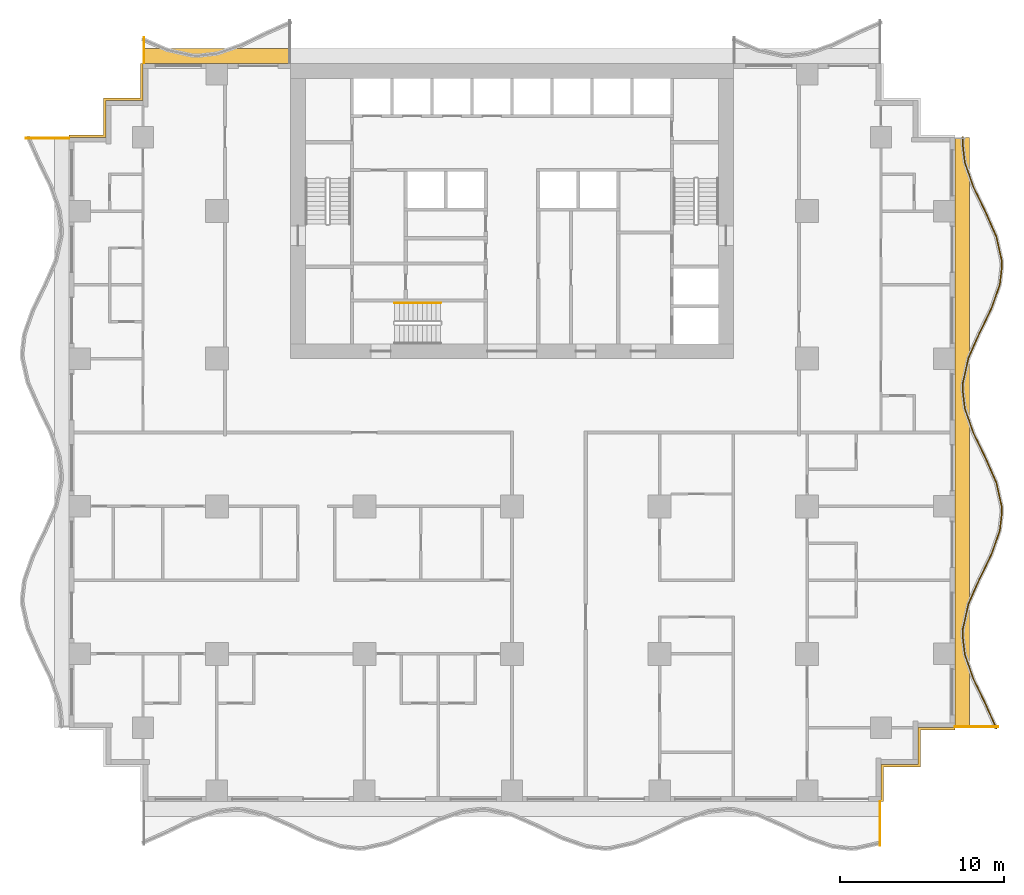
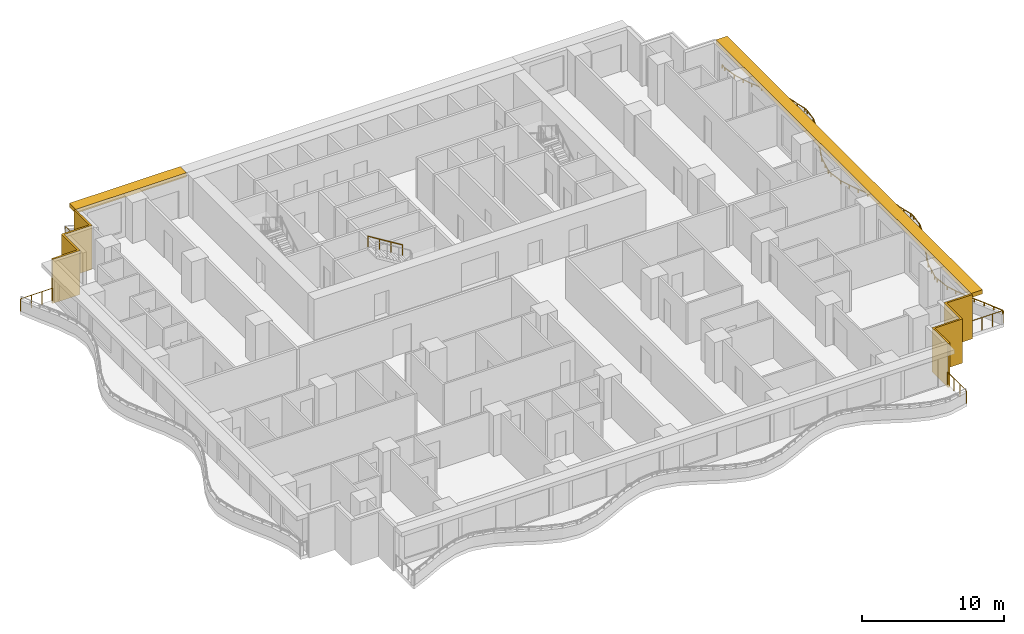
# One storey, part 11 of 14: 6 railings, 4 shading devices.
"""IFC4 building model written with IfcOpenShell, lengths in metres."""

from ifc_helpers import new_model, si_unit, direction, frame, origin, origin_2d, place, context, subcontext, project, spatial, polyline, rectangle, circle, outline, extrude, material, layer, layer_set, type_object, element, save


model = new_model("IFC4")

# Units and contexts
model_context = context("Model", 3, precision=1e-05, world=origin(), true_north=direction((0.0, 1.0)))
body_context = subcontext(model_context, "Body", "Model", "MODEL_VIEW")
ifc_project = project(units=[si_unit("LENGTHUNIT", "METRE"), si_unit("AREAUNIT", "SQUARE_METRE"), si_unit("VOLUMEUNIT", "CUBIC_METRE"), si_unit("PLANEANGLEUNIT", "RADIAN"), si_unit("MASSUNIT", "GRAM", prefix="KILO")], contexts=[model_context])

# Site, building, storey
site_placement = place(None, origin())
site = spatial("IfcSite", under=ifc_project, at=site_placement, CompositionType="ELEMENT")
building_placement = place(site_placement, origin())
building = spatial("IfcBuilding", under=site, at=building_placement, Name="Orbiselva Terraces", CompositionType="ELEMENT")
storey_placement = place(building_placement, frame((0.0, 0.0, 88.4)))
storey = spatial("IfcBuildingStorey", under=building, at=storey_placement, Name="L22", CompositionType="ELEMENT", Elevation=88.4)

# Railings
ifc_material_1 = material(Name="Stainless steel", Category="steel")
railing_type_1 = type_object("IfcRailingType", Name="CORE-HANDRAIL-900", PredefinedType="HANDRAIL", material=ifc_material_1)
railing_1_placement = place(storey_placement, frame((-4.35, 7.9, 2.072727)))
element("IfcRailing", 1, at=railing_1_placement, inside=storey, type_object=railing_type_1, Name="L22 S3 stair handrail 2", PredefinedType="HANDRAIL", context=body_context, shape_type="SweptSolid", body=[
    extrude(circle(Radius=0.024, at=origin_2d()), frame((0.0, 0.0, 0.876), z_axis=(-0.851088519012, 0.0, 0.52502222125), x_axis=(0.0, -1.0, 0.0)), (0.0, 0.0, 1.0), 3.289905),
    extrude(circle(Radius=0.021, at=origin_2d()), origin(), (0.0, 0.0, 1.0), 0.852),
    extrude(circle(Radius=0.021, at=origin_2d()), frame((-0.933333, 0.0, 0.575758)), (0.0, 0.0, 1.0), 0.852),
    extrude(circle(Radius=0.021, at=origin_2d()), frame((-1.866667, 0.0, 1.151515)), (0.0, 0.0, 1.0), 0.852),
    extrude(circle(Radius=0.021, at=origin_2d()), frame((-2.8, 0.0, 1.727273)), (0.0, 0.0, 1.0), 0.852),
])
ifc_material_2 = material(Name="Bonded two-ply safety glass balustrade, stainless steel posts", Category="steel")
railing_type_2 = type_object("IfcRailingType", Name="ENV-BALUSTRADE-1200", PredefinedType="BALUSTRADE", material=ifc_material_2)
railing_2_placement = place(storey_placement, frame((29.534136, -18.050394, 0.9)))
element("IfcRailing", 2, at=railing_2_placement, inside=storey, type_object=railing_type_2, Name="Balcony balustrade L22 E", PredefinedType="BALUSTRADE", context=body_context, shape_type="SweptSolid", body=[
    extrude(outline(polyline([(0.028868, 0.0), (0.014434, 0.025), (-0.014434, 0.025), (-0.028868, 0.0), (-0.014434, -0.025), (0.014434, -0.025), (0.028868, 0.0)])), frame((0.0, 0.0, 0.275), z_axis=(-0.403150940408, 0.915133498047, 0.0), x_axis=(-0.915133498047, -0.403150940408, 0.0)), (0.0, 0.0, 1.0), 1.636648),
    extrude(outline(polyline([(0.028868, 0.0), (0.014434, 0.025), (-0.014434, 0.025), (-0.028868, 0.0), (-0.014434, -0.025), (0.014434, -0.025), (0.028868, 0.0)])), frame((-0.659816, 1.497751, 0.275), z_axis=(-0.438812048596, 0.898578870221, 0.0), x_axis=(-0.898578870221, -0.438812048596, 0.0)), (0.0, 0.0, 1.0), 1.674225),
    extrude(outline(polyline([(0.028868, 0.0), (0.014434, 0.025), (-0.014434, 0.025), (-0.028868, 0.0), (-0.014434, -0.025), (0.014434, -0.025), (0.028868, 0.0)])), frame((-1.394486, 3.002174, 0.275), z_axis=(-0.330024597479, 0.943972332783, 0.0), x_axis=(-0.943972332783, -0.330024597479, 0.0)), (0.0, 0.0, 1.0), 1.610253),
    extrude(outline(polyline([(0.028868, 0.0), (0.014434, 0.025), (-0.014434, 0.025), (-0.028868, 0.0), (-0.014434, -0.025), (0.014434, -0.025), (0.028868, 0.0)])), frame((-1.925909, 4.522208, 0.275), z_axis=(-0.115482182324, 0.993309551734, 0.0), x_axis=(-0.993309551734, -0.115482182324, 0.0)), (0.0, 0.0, 1.0), 1.156135),
    extrude(outline(polyline([(0.028868, 0.0), (0.014434, 0.025), (-0.014434, 0.025), (-0.028868, 0.0), (-0.014434, -0.025), (0.014434, -0.025), (0.028868, 0.0)])), frame((-2.059422, 5.670608, 0.275), z_axis=(0.03936915532, 0.999224734286, 0.0), x_axis=(-0.999224734286, 0.03936915532, 0.0)), (0.0, 0.0, 1.0), 0.396376),
    extrude(outline(polyline([(0.028868, 0.0), (0.014434, 0.025), (-0.014434, 0.025), (-0.028868, 0.0), (-0.014434, -0.025), (0.014434, -0.025), (0.028868, 0.0)])), frame((-2.043817, 6.066677, 0.275), z_axis=(0.219015500924, 0.97572137947, 0.0), x_axis=(-0.97572137947, 0.219015500924, 0.0)), (0.0, 0.0, 1.0), 1.560867),
    extrude(outline(polyline([(0.028868, 0.0), (0.014434, 0.025), (-0.014434, 0.025), (-0.028868, 0.0), (-0.014434, -0.025), (0.014434, -0.025), (0.028868, 0.0)])), frame((-1.701963, 7.589648, 0.275), z_axis=(0.403150874148, 0.915133527237, 0.0), x_axis=(-0.915133527237, 0.403150874148, 0.0)), (0.0, 0.0, 1.0), 1.653736),
    extrude(outline(polyline([(0.028868, 0.0), (0.014434, 0.025), (-0.014434, 0.025), (-0.028868, 0.0), (-0.014434, -0.025), (0.014434, -0.025), (0.028868, 0.0)])), frame((-1.035258, 9.103037, 0.275), z_axis=(0.438811978768, 0.89857890432, 0.0), x_axis=(-0.89857890432, 0.438811978768, 0.0)), (0.0, 0.0, 1.0), 1.66438),
    extrude(outline(polyline([(0.028868, 0.0), (0.014434, 0.025), (-0.014434, 0.025), (-0.028868, 0.0), (-0.014434, -0.025), (0.014434, -0.025), (0.028868, 0.0)])), frame((-0.304908, 10.598614, 0.275), z_axis=(0.330024754707, 0.943972277814, 0.0), x_axis=(-0.943972277814, 0.330024754707, 0.0)), (0.0, 0.0, 1.0), 1.567807),
    extrude(outline(polyline([(0.028868, 0.0), (0.014434, 0.025), (-0.014434, 0.025), (-0.028868, 0.0), (-0.014434, -0.025), (0.014434, -0.025), (0.028868, 0.0)])), frame((0.212507, 12.07858, 0.275), z_axis=(0.115481264762, 0.993309658409, 0.0), x_axis=(-0.993309658409, 0.115481264762, 0.0)), (0.0, 0.0, 1.0), 1.10902),
    extrude(outline(polyline([(0.028868, 0.0), (0.014434, 0.025), (-0.014434, 0.025), (-0.028868, 0.0), (-0.014434, -0.025), (0.014434, -0.025), (0.028868, 0.0)])), frame((0.340578, 13.18018, 0.275), z_axis=(-0.039364150694, 0.999224931454, 0.0), x_axis=(-0.999224931454, -0.039364150694, 0.0)), (0.0, 0.0, 1.0), 0.354206),
    extrude(outline(polyline([(0.028868, 0.0), (0.014434, 0.025), (-0.014434, 0.025), (-0.028868, 0.0), (-0.014434, -0.025), (0.014434, -0.025), (0.028868, 0.0)])), frame((0.326635, 13.534111, 0.275), z_axis=(-0.219015740235, 0.975721325753, 0.0), x_axis=(-0.975721325753, -0.219015740235, 0.0)), (0.0, 0.0, 1.0), 1.513782),
    extrude(outline(polyline([(0.028868, 0.0), (0.014434, 0.025), (-0.014434, 0.025), (-0.028868, 0.0), (-0.014434, -0.025), (0.014434, -0.025), (0.028868, 0.0)])), frame((-0.004907, 15.01114, 0.275), z_axis=(-0.403151245402, 0.915133363686, 0.0), x_axis=(-0.915133363686, -0.403151245402, 0.0)), (0.0, 0.0, 1.0), 1.624475),
    extrude(outline(polyline([(0.028868, 0.0), (0.014434, 0.025), (-0.014434, 0.025), (-0.028868, 0.0), (-0.014434, -0.025), (0.014434, -0.025), (0.028868, 0.0)])), frame((-0.659816, 16.497751, 0.275), z_axis=(-0.438812048596, 0.898578870221, 0.0), x_axis=(-0.898578870221, -0.438812048596, 0.0)), (0.0, 0.0, 1.0), 1.674225),
    extrude(outline(polyline([(0.028868, 0.0), (0.014434, 0.025), (-0.014434, 0.025), (-0.028868, 0.0), (-0.014434, -0.025), (0.014434, -0.025), (0.028868, 0.0)])), frame((-1.394486, 18.002174, 0.275), z_axis=(-0.330024597479, 0.943972332783, 0.0), x_axis=(-0.943972332783, -0.330024597479, 0.0)), (0.0, 0.0, 1.0), 1.610253),
    extrude(outline(polyline([(0.028868, 0.0), (0.014434, 0.025), (-0.014434, 0.025), (-0.028868, 0.0), (-0.014434, -0.025), (0.014434, -0.025), (0.028868, 0.0)])), frame((-1.925909, 19.522208, 0.275), z_axis=(-0.115482182324, 0.993309551734, 0.0), x_axis=(-0.993309551734, -0.115482182324, 0.0)), (0.0, 0.0, 1.0), 1.156135),
    extrude(outline(polyline([(0.028868, 0.0), (0.014434, 0.025), (-0.014434, 0.025), (-0.028868, 0.0), (-0.014434, -0.025), (0.014434, -0.025), (0.028868, 0.0)])), frame((-2.059422, 20.670608, 0.275), z_axis=(0.03936915532, 0.999224734286, 0.0), x_axis=(-0.999224734286, 0.03936915532, 0.0)), (0.0, 0.0, 1.0), 0.396376),
    extrude(outline(polyline([(0.028868, 0.0), (0.014434, 0.025), (-0.014434, 0.025), (-0.028868, 0.0), (-0.014434, -0.025), (0.014434, -0.025), (0.028868, 0.0)])), frame((-2.043817, 21.066677, 0.275), z_axis=(0.219015500924, 0.97572137947, 0.0), x_axis=(-0.97572137947, 0.219015500924, 0.0)), (0.0, 0.0, 1.0), 1.560867),
    extrude(outline(polyline([(0.028868, 0.0), (0.014434, 0.025), (-0.014434, 0.025), (-0.028868, 0.0), (-0.014434, -0.025), (0.014434, -0.025), (0.028868, 0.0)])), frame((-1.701963, 22.589648, 0.275), z_axis=(0.403150874148, 0.915133527237, 0.0), x_axis=(-0.915133527237, 0.403150874148, 0.0)), (0.0, 0.0, 1.0), 1.653736),
    extrude(outline(polyline([(0.028868, 0.0), (0.014434, 0.025), (-0.014434, 0.025), (-0.028868, 0.0), (-0.014434, -0.025), (0.014434, -0.025), (0.028868, 0.0)])), frame((-1.035258, 24.103037, 0.275), z_axis=(0.438811978768, 0.89857890432, 0.0), x_axis=(-0.89857890432, 0.438811978768, 0.0)), (0.0, 0.0, 1.0), 1.66438),
    extrude(outline(polyline([(0.028868, 0.0), (0.014434, 0.025), (-0.014434, 0.025), (-0.028868, 0.0), (-0.014434, -0.025), (0.014434, -0.025), (0.028868, 0.0)])), frame((-0.304908, 25.598614, 0.275), z_axis=(0.330024754707, 0.943972277814, 0.0), x_axis=(-0.943972277814, 0.330024754707, 0.0)), (0.0, 0.0, 1.0), 1.567807),
    extrude(outline(polyline([(0.028868, 0.0), (0.014434, 0.025), (-0.014434, 0.025), (-0.028868, 0.0), (-0.014434, -0.025), (0.014434, -0.025), (0.028868, 0.0)])), frame((0.212507, 27.07858, 0.275), z_axis=(0.115481264762, 0.993309658409, 0.0), x_axis=(-0.993309658409, 0.115481264762, 0.0)), (0.0, 0.0, 1.0), 1.10902),
    extrude(outline(polyline([(0.028868, 0.0), (0.014434, 0.025), (-0.014434, 0.025), (-0.028868, 0.0), (-0.014434, -0.025), (0.014434, -0.025), (0.028868, 0.0)])), frame((0.340578, 28.18018, 0.275), z_axis=(-0.039364150694, 0.999224931454, 0.0), x_axis=(-0.999224931454, -0.039364150694, 0.0)), (0.0, 0.0, 1.0), 0.354206),
    extrude(outline(polyline([(0.028868, 0.0), (0.014434, 0.025), (-0.014434, 0.025), (-0.028868, 0.0), (-0.014434, -0.025), (0.014434, -0.025), (0.028868, 0.0)])), frame((0.326635, 28.534111, 0.275), z_axis=(-0.219015740235, 0.975721325753, 0.0), x_axis=(-0.975721325753, -0.219015740235, 0.0)), (0.0, 0.0, 1.0), 1.513782),
    extrude(outline(polyline([(0.028868, 0.0), (0.014434, 0.025), (-0.014434, 0.025), (-0.028868, 0.0), (-0.014434, -0.025), (0.014434, -0.025), (0.028868, 0.0)])), frame((-0.004907, 30.01114, 0.275), z_axis=(-0.403151245402, 0.915133363686, 0.0), x_axis=(-0.915133363686, -0.403151245402, 0.0)), (0.0, 0.0, 1.0), 1.624475),
    extrude(outline(polyline([(0.028868, 0.0), (0.014434, 0.025), (-0.014434, 0.025), (-0.028868, 0.0), (-0.014434, -0.025), (0.014434, -0.025), (0.028868, 0.0)])), frame((-0.659816, 31.497751, 0.275), z_axis=(-0.438812048596, 0.898578870221, 0.0), x_axis=(-0.898578870221, -0.438812048596, 0.0)), (0.0, 0.0, 1.0), 1.674225),
    extrude(outline(polyline([(0.028868, 0.0), (0.014434, 0.025), (-0.014434, 0.025), (-0.028868, 0.0), (-0.014434, -0.025), (0.014434, -0.025), (0.028868, 0.0)])), frame((-1.394486, 33.002174, 0.275), z_axis=(-0.330024597479, 0.943972332783, 0.0), x_axis=(-0.943972332783, -0.330024597479, 0.0)), (0.0, 0.0, 1.0), 1.610253),
    extrude(outline(polyline([(0.028868, 0.0), (0.014434, 0.025), (-0.014434, 0.025), (-0.028868, 0.0), (-0.014434, -0.025), (0.014434, -0.025), (0.028868, 0.0)])), frame((-1.925909, 34.522208, 0.275), z_axis=(-0.115482182324, 0.993309551734, 0.0), x_axis=(-0.993309551734, -0.115482182324, 0.0)), (0.0, 0.0, 1.0), 1.156135),
    extrude(outline(polyline([(0.028868, 0.0), (0.014434, 0.025), (-0.014434, 0.025), (-0.028868, 0.0), (-0.014434, -0.025), (0.014434, -0.025), (0.028868, 0.0)])), frame((-2.059422, 35.670608, 0.275), z_axis=(0.039368272023, 0.999224769087, 0.0), x_axis=(-0.999224769087, 0.039368272023, 0.0)), (0.0, 0.0, 1.0), 0.385005),
    extrude(rectangle(XDim=0.05, YDim=0.05, at=origin_2d()), origin(), (0.0, 0.0, 1.0), 0.25),
    extrude(rectangle(XDim=0.05, YDim=0.05, at=origin_2d()), frame((-0.329908, 0.748876, 0.0)), (0.0, 0.0, 1.0), 0.25),
    extrude(rectangle(XDim=0.05, YDim=0.05, at=origin_2d()), frame((-0.659816, 1.497751, 0.0)), (0.0, 0.0, 1.0), 0.25),
    extrude(rectangle(XDim=0.05, YDim=0.05, at=origin_2d()), frame((-1.027151, 2.249963, 0.0)), (0.0, 0.0, 1.0), 0.25),
    extrude(rectangle(XDim=0.05, YDim=0.05, at=origin_2d()), frame((-1.394486, 3.002174, 0.0)), (0.0, 0.0, 1.0), 0.25),
    extrude(rectangle(XDim=0.05, YDim=0.05, at=origin_2d()), frame((-1.660198, 3.762191, 0.0)), (0.0, 0.0, 1.0), 0.25),
    extrude(rectangle(XDim=0.05, YDim=0.05, at=origin_2d()), frame((-1.925909, 4.522208, 0.0)), (0.0, 0.0, 1.0), 0.25),
    extrude(rectangle(XDim=0.05, YDim=0.05, at=origin_2d()), frame((-2.059422, 5.670608, 0.0)), (0.0, 0.0, 1.0), 0.25),
    extrude(rectangle(XDim=0.05, YDim=0.05, at=origin_2d()), frame((-2.043817, 6.066677, 0.0)), (0.0, 0.0, 1.0), 0.25),
    extrude(rectangle(XDim=0.05, YDim=0.05, at=origin_2d()), frame((-1.87289, 6.828162, 0.0)), (0.0, 0.0, 1.0), 0.25),
    extrude(rectangle(XDim=0.05, YDim=0.05, at=origin_2d()), frame((-1.701963, 7.589648, 0.0)), (0.0, 0.0, 1.0), 0.25),
    extrude(rectangle(XDim=0.05, YDim=0.05, at=origin_2d()), frame((-1.36861, 8.346342, 0.0)), (0.0, 0.0, 1.0), 0.25),
    extrude(rectangle(XDim=0.05, YDim=0.05, at=origin_2d()), frame((-1.035258, 9.103037, 0.0)), (0.0, 0.0, 1.0), 0.25),
    extrude(rectangle(XDim=0.05, YDim=0.05, at=origin_2d()), frame((-0.670083, 9.850826, 0.0)), (0.0, 0.0, 1.0), 0.25),
    extrude(rectangle(XDim=0.05, YDim=0.05, at=origin_2d()), frame((-0.304908, 10.598614, 0.0)), (0.0, 0.0, 1.0), 0.25),
    extrude(rectangle(XDim=0.05, YDim=0.05, at=origin_2d()), frame((-0.046201, 11.338597, 0.0)), (0.0, 0.0, 1.0), 0.25),
    extrude(rectangle(XDim=0.05, YDim=0.05, at=origin_2d()), frame((0.212507, 12.07858, 0.0)), (0.0, 0.0, 1.0), 0.25),
    extrude(rectangle(XDim=0.05, YDim=0.05, at=origin_2d()), frame((0.340578, 13.18018, 0.0)), (0.0, 0.0, 1.0), 0.25),
    extrude(rectangle(XDim=0.05, YDim=0.05, at=origin_2d()), frame((0.326635, 13.534111, 0.0)), (0.0, 0.0, 1.0), 0.25),
    extrude(rectangle(XDim=0.05, YDim=0.05, at=origin_2d()), frame((0.160864, 14.272626, 0.0)), (0.0, 0.0, 1.0), 0.25),
    extrude(rectangle(XDim=0.05, YDim=0.05, at=origin_2d()), frame((-0.004907, 15.01114, 0.0)), (0.0, 0.0, 1.0), 0.25),
    extrude(rectangle(XDim=0.05, YDim=0.05, at=origin_2d()), frame((-0.332361, 15.754446, 0.0)), (0.0, 0.0, 1.0), 0.25),
    extrude(rectangle(XDim=0.05, YDim=0.05, at=origin_2d()), frame((-0.659816, 16.497751, 0.0)), (0.0, 0.0, 1.0), 0.25),
    extrude(rectangle(XDim=0.05, YDim=0.05, at=origin_2d()), frame((-1.027151, 17.249963, 0.0)), (0.0, 0.0, 1.0), 0.25),
    extrude(rectangle(XDim=0.05, YDim=0.05, at=origin_2d()), frame((-1.394486, 18.002174, 0.0)), (0.0, 0.0, 1.0), 0.25),
    extrude(rectangle(XDim=0.05, YDim=0.05, at=origin_2d()), frame((-1.660198, 18.762191, 0.0)), (0.0, 0.0, 1.0), 0.25),
    extrude(rectangle(XDim=0.05, YDim=0.05, at=origin_2d()), frame((-1.925909, 19.522208, 0.0)), (0.0, 0.0, 1.0), 0.25),
    extrude(rectangle(XDim=0.05, YDim=0.05, at=origin_2d()), frame((-2.059422, 20.670608, 0.0)), (0.0, 0.0, 1.0), 0.25),
    extrude(rectangle(XDim=0.05, YDim=0.05, at=origin_2d()), frame((-2.043817, 21.066677, 0.0)), (0.0, 0.0, 1.0), 0.25),
    extrude(rectangle(XDim=0.05, YDim=0.05, at=origin_2d()), frame((-1.87289, 21.828162, 0.0)), (0.0, 0.0, 1.0), 0.25),
    extrude(rectangle(XDim=0.05, YDim=0.05, at=origin_2d()), frame((-1.701963, 22.589648, 0.0)), (0.0, 0.0, 1.0), 0.25),
    extrude(rectangle(XDim=0.05, YDim=0.05, at=origin_2d()), frame((-1.36861, 23.346342, 0.0)), (0.0, 0.0, 1.0), 0.25),
    extrude(rectangle(XDim=0.05, YDim=0.05, at=origin_2d()), frame((-1.035258, 24.103037, 0.0)), (0.0, 0.0, 1.0), 0.25),
    extrude(rectangle(XDim=0.05, YDim=0.05, at=origin_2d()), frame((-0.670083, 24.850826, 0.0)), (0.0, 0.0, 1.0), 0.25),
    extrude(rectangle(XDim=0.05, YDim=0.05, at=origin_2d()), frame((-0.304908, 25.598614, 0.0)), (0.0, 0.0, 1.0), 0.25),
    extrude(rectangle(XDim=0.05, YDim=0.05, at=origin_2d()), frame((-0.046201, 26.338597, 0.0)), (0.0, 0.0, 1.0), 0.25),
    extrude(rectangle(XDim=0.05, YDim=0.05, at=origin_2d()), frame((0.212507, 27.07858, 0.0)), (0.0, 0.0, 1.0), 0.25),
    extrude(rectangle(XDim=0.05, YDim=0.05, at=origin_2d()), frame((0.340578, 28.18018, 0.0)), (0.0, 0.0, 1.0), 0.25),
    extrude(rectangle(XDim=0.05, YDim=0.05, at=origin_2d()), frame((0.326635, 28.534111, 0.0)), (0.0, 0.0, 1.0), 0.25),
    extrude(rectangle(XDim=0.05, YDim=0.05, at=origin_2d()), frame((0.160864, 29.272626, 0.0)), (0.0, 0.0, 1.0), 0.25),
    extrude(rectangle(XDim=0.05, YDim=0.05, at=origin_2d()), frame((-0.004907, 30.01114, 0.0)), (0.0, 0.0, 1.0), 0.25),
    extrude(rectangle(XDim=0.05, YDim=0.05, at=origin_2d()), frame((-0.332361, 30.754446, 0.0)), (0.0, 0.0, 1.0), 0.25),
    extrude(rectangle(XDim=0.05, YDim=0.05, at=origin_2d()), frame((-0.659816, 31.497751, 0.0)), (0.0, 0.0, 1.0), 0.25),
    extrude(rectangle(XDim=0.05, YDim=0.05, at=origin_2d()), frame((-1.027151, 32.249962, 0.0)), (0.0, 0.0, 1.0), 0.25),
    extrude(rectangle(XDim=0.05, YDim=0.05, at=origin_2d()), frame((-1.394486, 33.002174, 0.0)), (0.0, 0.0, 1.0), 0.25),
    extrude(rectangle(XDim=0.05, YDim=0.05, at=origin_2d()), frame((-1.660198, 33.762191, 0.0)), (0.0, 0.0, 1.0), 0.25),
    extrude(rectangle(XDim=0.05, YDim=0.05, at=origin_2d()), frame((-1.925909, 34.522208, 0.0)), (0.0, 0.0, 1.0), 0.25),
    extrude(rectangle(XDim=0.05, YDim=0.05, at=origin_2d()), frame((-2.059422, 35.670608, 0.0)), (0.0, 0.0, 1.0), 0.25),
    extrude(rectangle(XDim=0.05, YDim=0.05, at=origin_2d()), frame((-2.044265, 36.055315, 0.0)), (0.0, 0.0, 1.0), 0.25),
])
ifc_material_3 = material(Name="Stainless steel rail and posts", Category="steel")
railing_type_3 = type_object("IfcRailingType", Name="ENV-GUARD-1105", PredefinedType="BALUSTRADE", material=ifc_material_3)
railing_3_placement = place(storey_placement, frame((22.44, -25.169584, 0.0)))
element("IfcRailing", 3, at=railing_3_placement, inside=storey, type_object=railing_type_3, Name="Balcony end guard L22 S", PredefinedType="BALUSTRADE", context=body_context, shape_type="SweptSolid", body=[
    extrude(outline(polyline([(0.028868, 0.0), (0.014434, 0.025), (-0.014434, 0.025), (-0.028868, 0.0), (-0.014434, -0.025), (0.014434, -0.025), (0.028868, 0.0)])), frame((0.0, 0.0, 1.08), z_axis=(0.0, 1.0, 0.0), x_axis=(-1.0, 0.0, 0.0)), (0.0, 0.0, 1.0), 2.644584),
    extrude(rectangle(XDim=0.05, YDim=0.05, at=origin_2d()), origin(), (0.0, 0.0, 1.0), 1.055),
    extrude(rectangle(XDim=0.05, YDim=0.05, at=origin_2d()), frame((0.0, 0.881528, 0.0)), (0.0, 0.0, 1.0), 1.055),
    extrude(rectangle(XDim=0.05, YDim=0.05, at=origin_2d()), frame((0.0, 1.763056, 0.0)), (0.0, 0.0, 1.0), 1.055),
    extrude(rectangle(XDim=0.05, YDim=0.05, at=origin_2d()), frame((0.0, 2.644584, 0.0)), (0.0, 0.0, 1.0), 1.055),
])
railing_4_placement = place(storey_placement, frame((29.626937, -17.94, 0.0)))
element("IfcRailing", 4, at=railing_4_placement, inside=storey, type_object=railing_type_3, Name="Balcony end guard L22 E", PredefinedType="BALUSTRADE", context=body_context, shape_type="SweptSolid", body=[
    extrude(outline(polyline([(0.028868, 0.0), (0.014434, 0.025), (-0.014434, 0.025), (-0.028868, 0.0), (-0.014434, -0.025), (0.014434, -0.025), (0.028868, 0.0)])), frame((0.0, 0.0, 1.08), z_axis=(-1.0, 0.0, 0.0), x_axis=(0.0, -1.0, 0.0)), (0.0, 0.0, 1.0), 2.601937),
    extrude(rectangle(XDim=0.05, YDim=0.05, at=origin_2d()), origin(), (0.0, 0.0, 1.0), 1.055),
    extrude(rectangle(XDim=0.05, YDim=0.05, at=origin_2d()), frame((-0.867312, 0.0, 0.0)), (0.0, 0.0, 1.0), 1.055),
    extrude(rectangle(XDim=0.05, YDim=0.05, at=origin_2d()), frame((-1.734625, 0.0, 0.0)), (0.0, 0.0, 1.0), 1.055),
    extrude(rectangle(XDim=0.05, YDim=0.05, at=origin_2d()), frame((-2.601937, 0.0, 0.0)), (0.0, 0.0, 1.0), 1.055),
])
railing_5_placement = place(storey_placement, frame((-22.44, 24.082553, 0.0)))
element("IfcRailing", 5, at=railing_5_placement, inside=storey, type_object=railing_type_3, Name="Balcony end guard L22 NW", PredefinedType="BALUSTRADE", context=body_context, shape_type="SweptSolid", body=[
    extrude(outline(polyline([(0.028868, 0.0), (0.014434, 0.025), (-0.014434, 0.025), (-0.028868, 0.0), (-0.014434, -0.025), (0.014434, -0.025), (0.028868, 0.0)])), frame((0.0, 0.0, 1.08), z_axis=(0.0, -1.0, 0.0), x_axis=(1.0, 0.0, 0.0)), (0.0, 0.0, 1.0), 1.557553),
    extrude(rectangle(XDim=0.05, YDim=0.05, at=origin_2d()), origin(), (0.0, 0.0, 1.0), 1.055),
    extrude(rectangle(XDim=0.05, YDim=0.05, at=origin_2d()), frame((0.0, -0.778777, 0.0)), (0.0, 0.0, 1.0), 1.055),
    extrude(rectangle(XDim=0.05, YDim=0.05, at=origin_2d()), frame((0.0, -1.557553, 0.0)), (0.0, 0.0, 1.0), 1.055),
])
railing_6_placement = place(storey_placement, frame((-29.626937, 17.94, 0.0)))
element("IfcRailing", 6, at=railing_6_placement, inside=storey, type_object=railing_type_3, Name="Balcony end guard L22 W", PredefinedType="BALUSTRADE", context=body_context, shape_type="SweptSolid", body=[
    extrude(outline(polyline([(0.028868, 0.0), (0.014434, 0.025), (-0.014434, 0.025), (-0.028868, 0.0), (-0.014434, -0.025), (0.014434, -0.025), (0.028868, 0.0)])), frame((0.0, 0.0, 1.08), z_axis=(1.0, 0.0, 0.0), x_axis=(0.0, 1.0, 0.0)), (0.0, 0.0, 1.0), 2.601937),
    extrude(rectangle(XDim=0.05, YDim=0.05, at=origin_2d()), origin(), (0.0, 0.0, 1.0), 1.055),
    extrude(rectangle(XDim=0.05, YDim=0.05, at=origin_2d()), frame((0.867312, 0.0, 0.0)), (0.0, 0.0, 1.0), 1.055),
    extrude(rectangle(XDim=0.05, YDim=0.05, at=origin_2d()), frame((1.734625, 0.0, 0.0)), (0.0, 0.0, 1.0), 1.055),
    extrude(rectangle(XDim=0.05, YDim=0.05, at=origin_2d()), frame((2.601937, 0.0, 0.0)), (0.0, 0.0, 1.0), 1.055),
])

# Shading devices
ifc_material_4 = material(Name="Terracotta louvre screen", Category="masonry")
ifc_layer_1 = layer(ifc_material_4, 0.15)
ifc_layer_set_1 = layer_set([ifc_layer_1], Name="Terracotta louvre screen")
shading_device_type_1 = type_object("IfcShadingDeviceType", Name="ENV-SCREEN-150", PredefinedType="USERDEFINED", material=ifc_layer_set_1)
shading_device_1_placement = place(storey_placement, frame((0.0, 0.0, -0.3)))
element("IfcShadingDevice", 7, at=shading_device_1_placement, inside=storey, type_object=shading_device_type_1, Name="Louvre screen L22 NW", ObjectType="SCREEN", PredefinedType="USERDEFINED", context=body_context, shape_type="SweptSolid", body=[
    extrude(outline(polyline([(-22.65, 22.5), (-22.65, 20.4), (-24.9, 20.4), (-24.9, 18.15), (-27.0, 18.15), (-27.0, 18.0), (-24.75, 18.0), (-24.75, 20.25), (-22.5, 20.25), (-22.5, 22.5), (-22.65, 22.5)])), origin(), (0.0, 0.0, 1.0), 3.8),
])
shading_device_2_placement = place(storey_placement, frame((0.0, 0.0, -0.3)))
element("IfcShadingDevice", 8, at=shading_device_2_placement, inside=storey, type_object=shading_device_type_1, Name="Louvre screen L22 SE", ObjectType="SCREEN", PredefinedType="USERDEFINED", context=body_context, shape_type="SweptSolid", body=[
    extrude(outline(polyline([(22.65, -22.5), (22.65, -20.4), (24.9, -20.4), (24.9, -18.15), (27.0, -18.15), (27.0, -18.0), (24.75, -18.0), (24.75, -20.25), (22.5, -20.25), (22.5, -22.5), (22.65, -22.5)])), origin(), (0.0, 0.0, 1.0), 3.8),
])
ifc_material_5 = material(Name="Terracotta baguette sunshade", Category="masonry")
ifc_layer_2 = layer(ifc_material_5, 0.35)
ifc_layer_set_2 = layer_set([ifc_layer_2], Name="Terracotta baguette sunshade")
shading_device_type_2 = type_object("IfcShadingDeviceType", Name="ENV-SUNSHADE-900x350", PredefinedType="USERDEFINED", material=ifc_layer_set_2)
shading_device_3_placement = place(storey_placement, frame((0.0, 0.0, 3.15)))
element("IfcShadingDevice", 9, at=shading_device_3_placement, inside=storey, type_object=shading_device_type_2, Name="Sunshade band L22 E", ObjectType="SUNSHADE", PredefinedType="USERDEFINED", context=body_context, shape_type="SweptSolid", body=[
    extrude(outline(polyline([(27.9, -18.0), (27.9, 18.0), (27.0, 18.0), (27.0, -18.0), (27.9, -18.0)])), origin(), (0.0, 0.0, 1.0), 0.35),
])
shading_device_4_placement = place(storey_placement, frame((0.0, 0.0, 3.15)))
element("IfcShadingDevice", 10, at=shading_device_4_placement, inside=storey, type_object=shading_device_type_2, Name="Sunshade band L22 NW", ObjectType="SUNSHADE", PredefinedType="USERDEFINED", context=body_context, shape_type="SweptSolid", body=[
    extrude(outline(polyline([(-13.5, 23.4), (-22.5, 23.4), (-22.5, 22.5), (-13.5, 22.5), (-13.5, 23.4)])), origin(), (0.0, 0.0, 1.0), 0.35),
])

save(model, "model.ifc")
